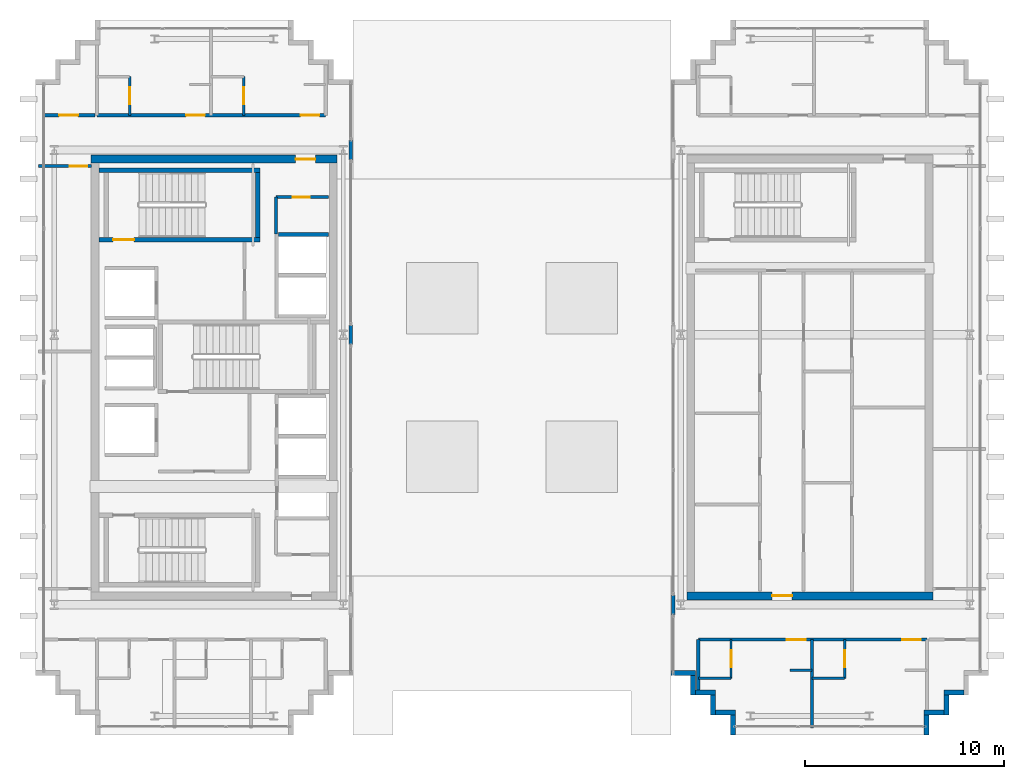
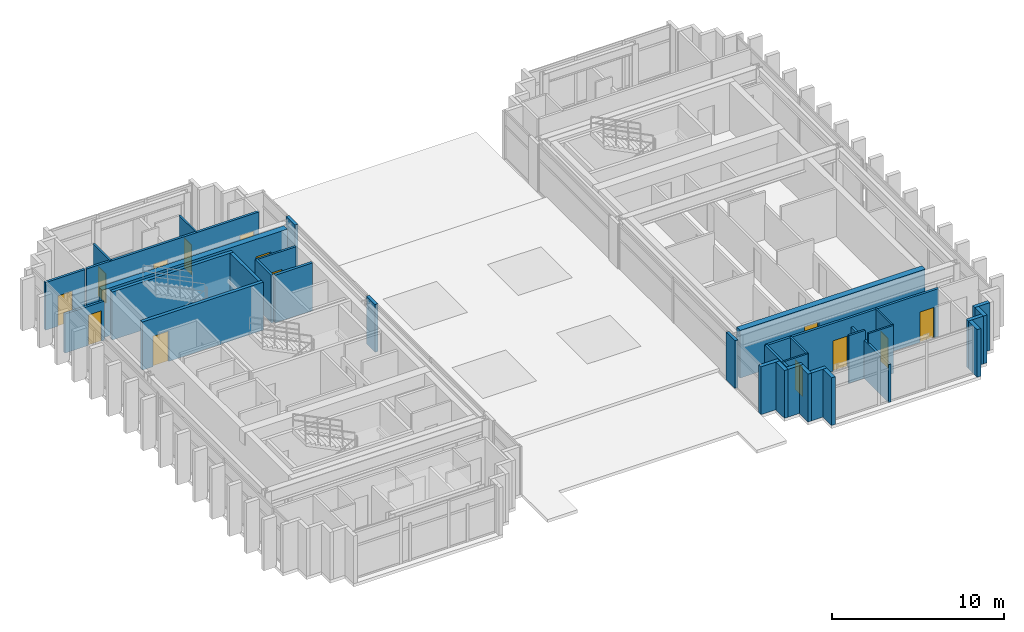
# One storey, part 21 of 25: 34 walls, 14 doors, 14 openings.
"""IFC4 building model written with IfcOpenShell, lengths in metres."""

from ifc_helpers import new_model, si_unit, direction, frame, frame_2d, origin, place, context, subcontext, project, spatial, rectangle, extrude, source, transform, mapped, material, layer, layer_set, type_object, element, fill, save


model = new_model("IFC4")

# Units and contexts
model_context = context("Model", 3, precision=1e-05, world=origin(), true_north=direction((0.0, 1.0)))
body_context = subcontext(model_context, "Body", "Model", "MODEL_VIEW")
ifc_project = project(units=[si_unit("LENGTHUNIT", "METRE"), si_unit("AREAUNIT", "SQUARE_METRE"), si_unit("VOLUMEUNIT", "CUBIC_METRE"), si_unit("PLANEANGLEUNIT", "RADIAN"), si_unit("MASSUNIT", "GRAM", prefix="KILO")], contexts=[model_context])

# Site, building, storey
site_placement = place(None, origin())
site = spatial("IfcSite", under=ifc_project, at=site_placement, CompositionType="ELEMENT")
building_placement = place(site_placement, origin())
building = spatial("IfcBuilding", under=site, at=building_placement, Name="Ocotamira Hotel", CompositionType="ELEMENT")
storey_placement = place(building_placement, frame((0.0, 0.0, 250.800048828125)))
storey = spatial("IfcBuildingStorey", under=building, at=storey_placement, Name="L63", CompositionType="ELEMENT", Elevation=250.800048828125)

# Wall, opening, door
ifc_material_1 = material(Name="Concrete C50/60", Category="concrete")
ifc_layer_1 = layer(ifc_material_1, 0.39990234375)
ifc_layer_set_1 = layer_set([ifc_layer_1], Name="Concrete C50/60")
wall_type_1 = type_object("IfcWallType", Name="WL-CORE-400", PredefinedType="SHEAR", material=ifc_layer_set_1)
wall_1_placement = place(storey_placement, frame((10.800048828125, 37.0, 0.0), z_axis=(0.0, 0.0, 1.0), x_axis=(1.0, 0.0, 0.0)))
wall_1 = element("IfcWall", 1, at=wall_1_placement, inside=storey, type_object=wall_type_1, Name="L63 Shear Core Wall WCORE-N", PredefinedType="SHEAR", context=body_context, shape_type="SweptSolid", body=[
    extrude(rectangle(XDim=12.39990234375, YDim=0.39990234375, at=frame_2d((6.199951171875, 0.0))), origin(), (0.0, 0.0, 1.0), 3.3798828125),
])
opening_1_placement = place(wall_1_placement, frame((10.300048828125, 0.0, 0.0)))
opening_1 = element("IfcOpeningElement", 2, at=opening_1_placement, cuts=wall_1, Name="Opening D-FR2", PredefinedType="OPENING", context=body_context, shape_type="SweptSolid", body=[
    extrude(rectangle(XDim=1.0, YDim=2.14990234375, at=frame_2d((0.5, 1.074951171875))), frame((0.0, 0.2099609375, 0.0), z_axis=(0.0, -1.0, 0.0), x_axis=(1.0, 0.0, 0.0)), (0.0, 0.0, 1.0), 0.419921875),
])
ifc_material_2 = material(Name="Fire-rated acoustic timber-veneer door", Category="wood")
door_type_1 = type_object("IfcDoorType", Name="DR-FIRE-1000", OperationType="NOTDEFINED", PredefinedType="DOOR", material=ifc_material_2)
shared_shape_1 = source(origin(), body_context, "Body", "SweptSolid", [
    extrude(rectangle(XDim=1.0, YDim=2.14990234375, at=frame_2d((0.5, 1.074951171875))), frame((0.0, 0.02490234375, 0.0), z_axis=(0.0, -1.0, 0.0), x_axis=(1.0, 0.0, 0.0)), (0.0, 0.0, 1.0), 0.050048828125),
])
door_1_placement = place(opening_1_placement, origin())
door_1 = element("IfcDoor", 3, at=door_1_placement, inside=storey, type_object=door_type_1, Name="L63 Door ID-L63-WLOB-N-D [ID-L63-WLOB-N-D]", OperationType="SINGLE_SWING_RIGHT", OverallHeight=2.14990234375, OverallWidth=1.0, PredefinedType="DOOR", context=body_context, shape_type="MappedRepresentation", body=[
    mapped(shared_shape_1, transform((0.0, 0.0, 0.0), scale=1.0)),
])
fill(opening_1, door_1)

wall_2_placement = place(storey_placement, frame((40.800048828125, 15.0, 0.0), z_axis=(0.0, 0.0, 1.0), x_axis=(1.0, 0.0, 0.0)))
wall_2 = element("IfcWall", 4, at=wall_2_placement, inside=storey, type_object=wall_type_1, Name="L63 Shear Core Wall ECORE-S", PredefinedType="SHEAR", context=body_context, shape_type="SweptSolid", body=[
    extrude(rectangle(XDim=12.39990234375, YDim=0.39990234375, at=frame_2d((6.199951171875, 0.0))), origin(), (0.0, 0.0, 1.0), 3.3798828125),
])
opening_2_placement = place(wall_2_placement, frame((4.300048828125, 0.0, 0.0)))
opening_2 = element("IfcOpeningElement", 5, at=opening_2_placement, cuts=wall_2, Name="Opening D-FR2", PredefinedType="OPENING", context=body_context, shape_type="SweptSolid", body=[
    extrude(rectangle(XDim=1.0, YDim=2.14990234375, at=frame_2d((0.5, 1.074951171875))), frame((0.0, 0.2099609375, 0.0), z_axis=(0.0, -1.0, 0.0), x_axis=(1.0, 0.0, 0.0)), (0.0, 0.0, 1.0), 0.419921875),
])
door_2_placement = place(opening_2_placement, origin())
door_2 = element("IfcDoor", 6, at=door_2_placement, inside=storey, type_object=door_type_1, Name="L63 Door ID-L63-ELOB-S-D [ID-L63-ELOB-S-D]", OperationType="SINGLE_SWING_RIGHT", OverallHeight=2.14990234375, OverallWidth=1.0, PredefinedType="DOOR", context=body_context, shape_type="MappedRepresentation", body=[
    mapped(shared_shape_1, transform((0.0, 0.0, 0.0), scale=1.0)),
])
fill(opening_2, door_2)

# Walls
ifc_material_3 = material(Name="Precast concrete C45/55", Category="concrete")
ifc_layer_2 = layer(ifc_material_3, 0.25)
ifc_layer_set_2 = layer_set([ifc_layer_2], Name="Precast concrete C45/55")
wall_type_2 = type_object("IfcWallType", Name="WL-EXT-SER-250", PredefinedType="SOLIDWALL", material=ifc_layer_set_2)
for number, where, z_axis, x_axis, name in (
    (7, (52.875, 8.0, 0.0), (0.0, 0.0, 1.0), (0.0, 1.0, 0.0), "L63 -E Serrated Corner Wall 01"),
    (8, (52.75, 9.125, 0.0), (0.0, 0.0, 1.0), (1.0, 0.0, 0.0), "L63 -E Serrated Corner Wall 02"),
    (9, (53.875, 9.0, 0.0), (0.0, 0.0, 1.0), (0.0, 1.0, 0.0), "L63 -E Serrated Corner Wall 03"),
    (10, (53.75, 10.125, 0.0), (0.0, 0.0, 1.0), (1.0, 0.0, 0.0), "L63 -E Serrated Corner Wall 04"),
):
    element("IfcWall", number, at=place(storey_placement, frame(where, z_axis=z_axis, x_axis=x_axis)), inside=storey, type_object=wall_type_2, Name=name, PredefinedType="SOLIDWALL", context=body_context, shape_type="SweptSolid", body=[
        extrude(rectangle(XDim=1.0, YDim=0.25, at=frame_2d((0.5, 0.0))), origin(), (0.0, 0.0, 1.0), 3.3798828125),
    ])
wall_3_placement = place(storey_placement, frame((40.0, 11.125, 0.0), z_axis=(0.0, 0.0, 1.0), x_axis=(1.0, 0.0, 0.0)))
element("IfcWall", 11, at=wall_3_placement, inside=storey, type_object=wall_type_2, Name="L63 -E Serrated Corner Wall 19", PredefinedType="SOLIDWALL", context=body_context, shape_type="SweptSolid", body=[
    extrude(rectangle(XDim=1.25, YDim=0.25, at=frame_2d((0.625, 0.0))), origin(), (0.0, 0.0, 1.0), 3.3798828125),
])
for number, where, z_axis, x_axis, name in (
    (12, (41.125, 11.0, 0.0), (0.0, 0.0, 1.0), (0.0, -1.0, 0.0), "L63 -E Serrated Corner Wall 20"),
    (13, (41.25, 10.125, 0.0), (0.0, 0.0, 1.0), (1.0, 0.0, 0.0), "L63 -E Serrated Corner Wall 21"),
    (14, (42.125, 10.0, 0.0), (0.0, 0.0, 1.0), (0.0, -1.0, 0.0), "L63 -E Serrated Corner Wall 22"),
    (15, (42.25, 9.125, 0.0), (0.0, 0.0, 1.0), (1.0, 0.0, 0.0), "L63 -E Serrated Corner Wall 23"),
    (16, (43.125, 9.0, 0.0), (0.0, 0.0, 1.0), (0.0, -1.0, 0.0), "L63 -E Serrated Corner Wall 24"),
):
    element("IfcWall", number, at=place(storey_placement, frame(where, z_axis=z_axis, x_axis=x_axis)), inside=storey, type_object=wall_type_2, Name=name, PredefinedType="SOLIDWALL", context=body_context, shape_type="SweptSolid", body=[
        extrude(rectangle(XDim=1.0, YDim=0.25, at=frame_2d((0.5, 0.0))), origin(), (0.0, 0.0, 1.0), 3.3798828125),
    ])

# Wall, openings, doors
ifc_material_4 = material(Name="Acoustic double-layer fire gypsum board partition", Category="gypsum")
ifc_layer_3 = layer(ifc_material_4, 0.159912109375)
ifc_layer_set_3 = layer_set([ifc_layer_3], Name="Acoustic double-layer fire gypsum board partition")
wall_type_3 = type_object("IfcWallType", Name="WL-FIRE-160", PredefinedType="PARTITIONING", material=ifc_layer_set_3)
wall_4_placement = place(storey_placement, frame((11.10009765625, 39.199951171875, 0.0), z_axis=(0.0, 0.0, 1.0), x_axis=(1.0, 0.0, 0.0)))
wall_4 = element("IfcWall", 17, at=wall_4_placement, inside=storey, type_object=wall_type_3, Name="L63 Interior Wall PW-L63-SPW0N-CORRW", PredefinedType="PARTITIONING", context=body_context, shape_type="SweptSolid", body=[
    extrude(rectangle(XDim=11.52001953125, YDim=0.159912109375, at=frame_2d((5.760009765625, 0.0))), origin(), (0.0, 0.0, 1.0), 3.3798828125),
])
opening_3_placement = place(wall_4_placement, frame((4.489990234375, 0.0, 0.0)))
opening_3 = element("IfcOpeningElement", 18, at=opening_3_placement, cuts=wall_4, Name="Opening D-GR1", PredefinedType="OPENING", context=body_context, shape_type="SweptSolid", body=[
    extrude(rectangle(XDim=0.93994140625, YDim=2.14990234375, at=frame_2d((0.469970703125, 1.074951171875))), frame((0.0, 0.08984375, 0.0), z_axis=(0.0, -1.0, 0.0), x_axis=(1.0, 0.0, 0.0)), (0.0, 0.0, 1.0), 0.179931640625),
])
opening_4_placement = place(wall_4_placement, frame((10.260009765625, 0.0, 0.0)))
opening_4 = element("IfcOpeningElement", 19, at=opening_4_placement, cuts=wall_4, Name="Opening D-GR1", PredefinedType="OPENING", context=body_context, shape_type="SweptSolid", body=[
    extrude(rectangle(XDim=0.93994140625, YDim=2.14990234375, at=frame_2d((0.469970703125, 1.074951171875))), frame((0.0, 0.08984375, 0.0), z_axis=(0.0, -1.0, 0.0), x_axis=(1.0, 0.0, 0.0)), (0.0, 0.0, 1.0), 0.179931640625),
])
ifc_material_5 = material(Name="Solid-core walnut suite entrance fire door", Category="wood")
door_type_2 = type_object("IfcDoorType", Name="DR-GUEST-940", OperationType="NOTDEFINED", PredefinedType="DOOR", material=ifc_material_5)
shared_shape_2 = source(origin(), body_context, "Body", "SweptSolid", [
    extrude(rectangle(XDim=0.93994140625, YDim=2.14990234375, at=frame_2d((0.469970703125, 1.074951171875))), frame((0.0, 0.02490234375, 0.0), z_axis=(0.0, -1.0, 0.0), x_axis=(1.0, 0.0, 0.0)), (0.0, 0.0, 1.0), 0.050048828125),
])
door_3_placement = place(opening_3_placement, origin())
door_3 = element("IfcDoor", 20, at=door_3_placement, inside=storey, type_object=door_type_2, Name="L63 Door ID-L63-SPW0N-RMD1 [ID-L63-SPW0N-RMD1]", OperationType="SINGLE_SWING_LEFT", OverallHeight=2.14990234375, OverallWidth=0.93994140625, PredefinedType="DOOR", context=body_context, shape_type="MappedRepresentation", body=[
    mapped(shared_shape_2, transform((0.0, 0.0, 0.0), scale=1.0)),
])
fill(opening_3, door_3)
door_4_placement = place(opening_4_placement, origin())
door_4 = element("IfcDoor", 21, at=door_4_placement, inside=storey, type_object=door_type_2, Name="L63 Door ID-L63-SPW0N-RMD2 [ID-L63-SPW0N-RMD2]", OperationType="SINGLE_SWING_RIGHT", OverallHeight=2.14990234375, OverallWidth=0.93994140625, PredefinedType="DOOR", context=body_context, shape_type="MappedRepresentation", body=[
    mapped(shared_shape_2, transform((0.0, 0.0, 0.0), scale=1.0)),
])
fill(opening_4, door_4)

wall_5_placement = place(storey_placement, frame((41.3798828125, 12.800048828125, 0.0), z_axis=(0.0, 0.0, 1.0), x_axis=(1.0, 0.0, 0.0)))
wall_5 = element("IfcWall", 22, at=wall_5_placement, inside=storey, type_object=wall_type_3, Name="L63 Interior Wall PW-L63-SPE0S-CORRW", PredefinedType="PARTITIONING", context=body_context, shape_type="SweptSolid", body=[
    extrude(rectangle(XDim=11.52001953125, YDim=0.159912109375, at=frame_2d((5.760009765625, 0.0))), origin(), (0.0, 0.0, 1.0), 3.3798828125),
])
opening_5_placement = place(wall_5_placement, frame((4.4599609375, 0.0, 0.0)))
opening_5 = element("IfcOpeningElement", 23, at=opening_5_placement, cuts=wall_5, Name="Opening D-GR1", PredefinedType="OPENING", context=body_context, shape_type="SweptSolid", body=[
    extrude(rectangle(XDim=0.93994140625, YDim=2.14990234375, at=frame_2d((0.469970703125, 1.074951171875))), frame((0.0, 0.08984375, 0.0), z_axis=(0.0, -1.0, 0.0), x_axis=(1.0, 0.0, 0.0)), (0.0, 0.0, 1.0), 0.179931640625),
])
opening_6_placement = place(wall_5_placement, frame((10.260009765625, 0.0, 0.0)))
opening_6 = element("IfcOpeningElement", 24, at=opening_6_placement, cuts=wall_5, Name="Opening D-GR1", PredefinedType="OPENING", context=body_context, shape_type="SweptSolid", body=[
    extrude(rectangle(XDim=0.93994140625, YDim=2.14990234375, at=frame_2d((0.469970703125, 1.074951171875))), frame((0.0, 0.08984375, 0.0), z_axis=(0.0, -1.0, 0.0), x_axis=(1.0, 0.0, 0.0)), (0.0, 0.0, 1.0), 0.179931640625),
])
door_5_placement = place(opening_5_placement, origin())
door_5 = element("IfcDoor", 25, at=door_5_placement, inside=storey, type_object=door_type_2, Name="L63 Door ID-L63-SPE0S-RMD1 [ID-L63-SPE0S-RMD1]", OperationType="SINGLE_SWING_LEFT", OverallHeight=2.14990234375, OverallWidth=0.93994140625, PredefinedType="DOOR", context=body_context, shape_type="MappedRepresentation", body=[
    mapped(shared_shape_2, transform((0.0, 0.0, 0.0), scale=1.0)),
])
fill(opening_5, door_5)
door_6_placement = place(opening_6_placement, origin())
door_6 = element("IfcDoor", 26, at=door_6_placement, inside=storey, type_object=door_type_2, Name="L63 Door ID-L63-SPE0S-RMD2 [ID-L63-SPE0S-RMD2]", OperationType="SINGLE_SWING_RIGHT", OverallHeight=2.14990234375, OverallWidth=0.93994140625, PredefinedType="DOOR", context=body_context, shape_type="MappedRepresentation", body=[
    mapped(shared_shape_2, transform((0.0, 0.0, 0.0), scale=1.0)),
])
fill(opening_6, door_6)

# Wall, opening, door
wall_6_placement = place(storey_placement, frame((8.35009765625, 39.199951171875, 0.0), z_axis=(0.0, 0.0, 1.0), x_axis=(1.0, 0.0, 0.0)))
wall_6 = element("IfcWall", 27, at=wall_6_placement, inside=storey, type_object=wall_type_3, Name="L63 Interior Wall PW-L63-SPCNW0-CW", PredefinedType="PARTITIONING", context=body_context, shape_type="SweptSolid", body=[
    extrude(rectangle(XDim=2.64990234375, YDim=0.159912109375, at=frame_2d((1.324951171875, 0.0))), origin(), (0.0, 0.0, 1.0), 3.3798828125),
])
opening_7_placement = place(wall_6_placement, frame((0.844970703125, 0.0, 0.0)))
opening_7 = element("IfcOpeningElement", 28, at=opening_7_placement, cuts=wall_6, Name="Opening D-SV4", PredefinedType="OPENING", context=body_context, shape_type="SweptSolid", body=[
    extrude(rectangle(XDim=0.9599609375, YDim=2.14990234375, at=frame_2d((0.47998046875, 1.074951171875))), frame((0.0, 0.08984375, 0.0), z_axis=(0.0, -1.0, 0.0), x_axis=(1.0, 0.0, 0.0)), (0.0, 0.0, 1.0), 0.179931640625),
])
ifc_material_6 = material(Name="Fire-rated accessible walnut salon door", Category="wood")
door_type_3 = type_object("IfcDoorType", Name="DR-SERV-960", OperationType="NOTDEFINED", PredefinedType="DOOR", material=ifc_material_6)
shared_shape_3 = source(origin(), body_context, "Body", "SweptSolid", [
    extrude(rectangle(XDim=0.9599609375, YDim=2.14990234375, at=frame_2d((0.47998046875, 1.074951171875))), frame((0.0, 0.02490234375, 0.0), z_axis=(0.0, -1.0, 0.0), x_axis=(1.0, 0.0, 0.0)), (0.0, 0.0, 1.0), 0.050048828125),
])
door_7_placement = place(opening_7_placement, origin())
door_7 = element("IfcDoor", 29, at=door_7_placement, inside=storey, type_object=door_type_3, Name="L63 Door ID-L63-SPCNW0-CD [ID-L63-SPCNW0-CD]", OperationType="SINGLE_SWING_LEFT", OverallHeight=2.14990234375, OverallWidth=0.9599609375, PredefinedType="DOOR", context=body_context, shape_type="MappedRepresentation", body=[
    mapped(shared_shape_3, transform((0.0, 0.0, 0.0), scale=1.0)),
])
fill(opening_7, door_7)

# Walls
ifc_layer_4 = layer(ifc_material_3, 0.219970703125)
ifc_layer_set_4 = layer_set([ifc_layer_4], Name="Precast concrete C45/55")
wall_type_4 = type_object("IfcWallType", Name="WL-PARA-220", PredefinedType="PARAPET", material=ifc_layer_set_4)
for number, where, z_axis, x_axis, name in (
    (30, (23.8798828125, 27.64990234375, 0.0), (0.0, 0.0, 1.0), (0.0, 1.0, 0.0), "L63 Split-Wing Column Spandrel Closure W2"),
    (31, (23.8798828125, 36.949951171875, 0.0), (0.0, 0.0, 1.0), (0.0, 1.0, 0.0), "L63 Split-Wing Column Spandrel Closure W3"),
    (32, (40.1201171875, 14.050048828125, 0.0), (0.0, 0.0, 1.0), (0.0, 1.0, 0.0), "L63 Split-Wing Column Spandrel Closure E1"),
):
    element("IfcWall", number, at=place(storey_placement, frame(where, z_axis=z_axis, x_axis=x_axis)), inside=storey, type_object=wall_type_4, Name=name, PredefinedType="PARAPET", context=body_context, shape_type="SweptSolid", body=[
        extrude(rectangle(XDim=1.0, YDim=0.199951171875, at=frame_2d((0.5, 0.0))), origin(), (0.0, 0.0, 1.0), 3.3798828125),
    ])

# Wall, opening, door
ifc_material_7 = material(Name="Moisture-resistant en-suite tile and gypsum partition", Category="gypsum")
ifc_layer_5 = layer(ifc_material_7, 0.1201171875)
ifc_layer_set_5 = layer_set([ifc_layer_5], Name="Moisture-resistant en-suite tile and gypsum partition")
wall_type_5 = type_object("IfcWallType", Name="WL-PART-120", PredefinedType="PARTITIONING", material=ifc_layer_set_5)
wall_7_placement = place(storey_placement, frame((12.75, 39.199951171875, 0.0), z_axis=(0.0, 0.0, 1.0), x_axis=(0.0, 1.0, 0.0)))
wall_7 = element("IfcWall", 33, at=wall_7_placement, inside=storey, type_object=wall_type_5, Name="L63 Interior Wall PW-L63-SPW0N-BAE1", PredefinedType="PARTITIONING", context=body_context, shape_type="SweptSolid", body=[
    extrude(rectangle(XDim=1.949951171875, YDim=0.1201171875, at=frame_2d((0.97509765625, 0.0))), origin(), (0.0, 0.0, 1.0), 3.3798828125),
])
opening_8_placement = place(wall_7_placement, frame((0.544921875, 0.0, 0.0)))
opening_8 = element("IfcOpeningElement", 34, at=opening_8_placement, cuts=wall_7, Name="Opening D-BA1", PredefinedType="OPENING", context=body_context, shape_type="SweptSolid", body=[
    extrude(rectangle(XDim=0.860107421875, YDim=2.10009765625, at=frame_2d((0.43017578125, 1.050048828125))), frame((0.0, 0.070068359375, 0.0), z_axis=(0.0, -1.0, 0.0), x_axis=(1.0, 0.0, 0.0)), (0.0, 0.0, 1.0), 0.14013671875),
])
ifc_material_8 = material(Name="Moisture-sealed en-suite timber door", Category="wood")
door_type_4 = type_object("IfcDoorType", Name="DR-BATH-860", OperationType="NOTDEFINED", PredefinedType="DOOR", material=ifc_material_8)
shared_shape_4 = source(origin(), body_context, "Body", "SweptSolid", [
    extrude(rectangle(XDim=0.860107421875, YDim=2.10009765625, at=frame_2d((0.43017578125, 1.050048828125))), frame((0.0, 0.02490234375, 0.0), z_axis=(0.0, -1.0, 0.0), x_axis=(1.0, 0.0, 0.0)), (0.0, 0.0, 1.0), 0.050048828125),
])
door_8_placement = place(opening_8_placement, origin())
door_8 = element("IfcDoor", 35, at=door_8_placement, inside=storey, type_object=door_type_4, Name="L63 Door ID-L63-SPW0N-BAD1 [ID-L63-SPW0N-BAD1]", OperationType="SINGLE_SWING_RIGHT", OverallHeight=2.10009765625, OverallWidth=0.860107421875, PredefinedType="DOOR", context=body_context, shape_type="MappedRepresentation", body=[
    mapped(shared_shape_4, transform((0.0, 0.0, 0.0), scale=1.0)),
])
fill(opening_8, door_8)

wall_8_placement = place(storey_placement, frame((18.5, 39.199951171875, 0.0), z_axis=(0.0, 0.0, 1.0), x_axis=(0.0, 1.0, 0.0)))
wall_8 = element("IfcWall", 36, at=wall_8_placement, inside=storey, type_object=wall_type_5, Name="L63 Interior Wall PW-L63-SPW0N-BAE2", PredefinedType="PARTITIONING", context=body_context, shape_type="SweptSolid", body=[
    extrude(rectangle(XDim=1.949951171875, YDim=0.1201171875, at=frame_2d((0.97509765625, 0.0))), origin(), (0.0, 0.0, 1.0), 3.3798828125),
])
opening_9_placement = place(wall_8_placement, frame((0.544921875, 0.0, 0.0)))
opening_9 = element("IfcOpeningElement", 37, at=opening_9_placement, cuts=wall_8, Name="Opening D-BA1", PredefinedType="OPENING", context=body_context, shape_type="SweptSolid", body=[
    extrude(rectangle(XDim=0.860107421875, YDim=2.10009765625, at=frame_2d((0.43017578125, 1.050048828125))), frame((0.0, 0.070068359375, 0.0), z_axis=(0.0, -1.0, 0.0), x_axis=(1.0, 0.0, 0.0)), (0.0, 0.0, 1.0), 0.14013671875),
])
door_9_placement = place(opening_9_placement, origin())
door_9 = element("IfcDoor", 38, at=door_9_placement, inside=storey, type_object=door_type_4, Name="L63 Door ID-L63-SPW0N-BAD2 [ID-L63-SPW0N-BAD2]", OperationType="SINGLE_SWING_LEFT", OverallHeight=2.10009765625, OverallWidth=0.860107421875, PredefinedType="DOOR", context=body_context, shape_type="MappedRepresentation", body=[
    mapped(shared_shape_4, transform((0.0, 0.0, 0.0), scale=1.0)),
])
fill(opening_9, door_9)

wall_9_placement = place(storey_placement, frame((43.030029296875, 10.85009765625, 0.0), z_axis=(0.0, 0.0, 1.0), x_axis=(0.0, 1.0, 0.0)))
wall_9 = element("IfcWall", 39, at=wall_9_placement, inside=storey, type_object=wall_type_5, Name="L63 Interior Wall PW-L63-SPE0S-BAE1", PredefinedType="PARTITIONING", context=body_context, shape_type="SweptSolid", body=[
    extrude(rectangle(XDim=1.949951171875, YDim=0.1201171875, at=frame_2d((0.97509765625, 0.0))), origin(), (0.0, 0.0, 1.0), 3.3798828125),
])
opening_10_placement = place(wall_9_placement, frame((0.544921875, 0.0, 0.0)))
opening_10 = element("IfcOpeningElement", 40, at=opening_10_placement, cuts=wall_9, Name="Opening D-BA1", PredefinedType="OPENING", context=body_context, shape_type="SweptSolid", body=[
    extrude(rectangle(XDim=0.860107421875, YDim=2.10009765625, at=frame_2d((0.43017578125, 1.050048828125))), frame((0.0, 0.070068359375, 0.0), z_axis=(0.0, -1.0, 0.0), x_axis=(1.0, 0.0, 0.0)), (0.0, 0.0, 1.0), 0.14013671875),
])
door_10_placement = place(opening_10_placement, origin())
door_10 = element("IfcDoor", 41, at=door_10_placement, inside=storey, type_object=door_type_4, Name="L63 Door ID-L63-SPE0S-BAD1 [ID-L63-SPE0S-BAD1]", OperationType="SINGLE_SWING_RIGHT", OverallHeight=2.10009765625, OverallWidth=0.860107421875, PredefinedType="DOOR", context=body_context, shape_type="MappedRepresentation", body=[
    mapped(shared_shape_4, transform((0.0, 0.0, 0.0), scale=1.0)),
])
fill(opening_10, door_10)

# Walls
wall_10_placement = place(storey_placement, frame((41.3798828125, 10.85009765625, 0.0), z_axis=(0.0, 0.0, 1.0), x_axis=(1.0, 0.0, 0.0)))
element("IfcWall", 42, at=wall_10_placement, inside=storey, type_object=wall_type_5, Name="L63 Interior Wall PW-L63-SPE0S-BAS1", PredefinedType="PARTITIONING", context=body_context, shape_type="SweptSolid", body=[
    extrude(rectangle(XDim=1.650146484375, YDim=0.1201171875, at=frame_2d((0.8251953125, 0.0))), origin(), (0.0, 0.0, 1.0), 3.3798828125),
])
wall_11_placement = place(storey_placement, frame((46.0, 11.25, 0.0), z_axis=(0.0, 0.0, 1.0), x_axis=(1.0, 0.0, 0.0)))
element("IfcWall", 43, at=wall_11_placement, inside=storey, type_object=wall_type_5, Name="L63 Interior Wall PW-L63-SPE0S-DRN1", PredefinedType="PARTITIONING", context=body_context, shape_type="SweptSolid", body=[
    extrude(rectangle(XDim=1.10009765625, YDim=0.1201171875, at=frame_2d((0.550048828125, 0.0))), origin(), (0.0, 0.0, 1.0), 3.3798828125),
])

# Wall, opening, door
wall_12_placement = place(storey_placement, frame((48.75, 10.85009765625, 0.0), z_axis=(0.0, 0.0, 1.0), x_axis=(0.0, 1.0, 0.0)))
wall_12 = element("IfcWall", 44, at=wall_12_placement, inside=storey, type_object=wall_type_5, Name="L63 Interior Wall PW-L63-SPE0S-BAE2", PredefinedType="PARTITIONING", context=body_context, shape_type="SweptSolid", body=[
    extrude(rectangle(XDim=1.949951171875, YDim=0.1201171875, at=frame_2d((0.97509765625, 0.0))), origin(), (0.0, 0.0, 1.0), 3.3798828125),
])
opening_11_placement = place(wall_12_placement, frame((0.544921875, 0.0, 0.0)))
opening_11 = element("IfcOpeningElement", 45, at=opening_11_placement, cuts=wall_12, Name="Opening D-BA1", PredefinedType="OPENING", context=body_context, shape_type="SweptSolid", body=[
    extrude(rectangle(XDim=0.860107421875, YDim=2.10009765625, at=frame_2d((0.43017578125, 1.050048828125))), frame((0.0, 0.070068359375, 0.0), z_axis=(0.0, -1.0, 0.0), x_axis=(1.0, 0.0, 0.0)), (0.0, 0.0, 1.0), 0.14013671875),
])
door_11_placement = place(opening_11_placement, origin())
door_11 = element("IfcDoor", 46, at=door_11_placement, inside=storey, type_object=door_type_4, Name="L63 Door ID-L63-SPE0S-BAD2 [ID-L63-SPE0S-BAD2]", OperationType="SINGLE_SWING_LEFT", OverallHeight=2.10009765625, OverallWidth=0.860107421875, PredefinedType="DOOR", context=body_context, shape_type="MappedRepresentation", body=[
    mapped(shared_shape_4, transform((0.0, 0.0, 0.0), scale=1.0)),
])
fill(opening_11, door_11)

# Walls
wall_13_placement = place(storey_placement, frame((47.10009765625, 10.85009765625, 0.0), z_axis=(0.0, 0.0, 1.0), x_axis=(1.0, 0.0, 0.0)))
element("IfcWall", 47, at=wall_13_placement, inside=storey, type_object=wall_type_5, Name="L63 Interior Wall PW-L63-SPE0S-BAS2", PredefinedType="PARTITIONING", context=body_context, shape_type="SweptSolid", body=[
    extrude(rectangle(XDim=1.64990234375, YDim=0.1201171875, at=frame_2d((0.824951171875, 0.0))), origin(), (0.0, 0.0, 1.0), 3.3798828125),
])
ifc_material_9 = material(Name="Acoustic hospitality gypsum board partition", Category="gypsum")
ifc_layer_6 = layer(ifc_material_9, 0.14208984375)
ifc_layer_set_6 = layer_set([ifc_layer_6], Name="Acoustic hospitality gypsum board partition")
wall_type_6 = type_object("IfcWallType", Name="WL-PART-142", PredefinedType="PARTITIONING", material=ifc_layer_set_6)
wall_14_placement = place(storey_placement, frame((20.1201171875, 33.219970703125, 0.0), z_axis=(0.0, 0.0, 1.0), x_axis=(0.0, 1.0, 0.0)))
element("IfcWall", 48, at=wall_14_placement, inside=storey, type_object=wall_type_6, Name="L63 Interior Wall PW-L63-WC-NE-W2", PredefinedType="PARTITIONING", context=body_context, shape_type="SweptSolid", body=[
    extrude(rectangle(XDim=1.860107421875, YDim=0.14208984375, at=frame_2d((0.93017578125, 0.0))), origin(), (0.0, 0.0, 1.0), 3.3798828125),
])

# Wall, opening, door
wall_15_placement = place(storey_placement, frame((20.1201171875, 35.080078125, 0.0), z_axis=(0.0, 0.0, 1.0), x_axis=(1.0, 0.0, 0.0)))
wall_15 = element("IfcWall", 49, at=wall_15_placement, inside=storey, type_object=wall_type_6, Name="L63 Interior Wall PW-L63-WC-NE-N2", PredefinedType="PARTITIONING", context=body_context, shape_type="SweptSolid", body=[
    extrude(rectangle(XDim=2.6298828125, YDim=0.14208984375, at=frame_2d((1.31494140625, 0.0))), origin(), (0.0, 0.0, 1.0), 3.3798828125),
])
opening_12_placement = place(wall_15_placement, frame((0.85009765625, 0.0, 0.0)))
opening_12 = element("IfcOpeningElement", 50, at=opening_12_placement, cuts=wall_15, Name="Opening D-SV1", PredefinedType="OPENING", context=body_context, shape_type="SweptSolid", body=[
    extrude(rectangle(XDim=0.840087890625, YDim=2.10009765625, at=frame_2d((0.419921875, 1.050048828125))), frame((0.0, 0.0810546875, 0.0), z_axis=(0.0, -1.0, 0.0), x_axis=(1.0, 0.0, 0.0)), (0.0, 0.0, 1.0), 0.162109375),
])
ifc_material_10 = material(Name="Fire-rated painted steel service door", Category="steel")
door_type_5 = type_object("IfcDoorType", Name="DR-SERV-840", OperationType="NOTDEFINED", PredefinedType="DOOR", material=ifc_material_10)
shared_shape_5 = source(origin(), body_context, "Body", "SweptSolid", [
    extrude(rectangle(XDim=0.840087890625, YDim=2.10009765625, at=frame_2d((0.419921875, 1.050048828125))), frame((0.0, 0.02490234375, 0.0), z_axis=(0.0, -1.0, 0.0), x_axis=(1.0, 0.0, 0.0)), (0.0, 0.0, 1.0), 0.050048828125),
])
door_12_placement = place(opening_12_placement, origin())
door_12 = element("IfcDoor", 51, at=door_12_placement, inside=storey, type_object=door_type_5, Name="L63 Door ID-L63-WC-NE-D2 [ID-L63-WC-NE-D2]", OperationType="SINGLE_SWING_RIGHT", OverallHeight=2.10009765625, OverallWidth=0.840087890625, PredefinedType="DOOR", context=body_context, shape_type="MappedRepresentation", body=[
    mapped(shared_shape_5, transform((0.0, 0.0, 0.0), scale=1.0)),
])
fill(opening_12, door_12)

ifc_layer_7 = layer(ifc_material_9, 0.14990234375)
ifc_layer_set_7 = layer_set([ifc_layer_7], Name="Acoustic hospitality gypsum board partition")
wall_type_7 = type_object("IfcWallType", Name="WL-PART-150", PredefinedType="PARTITIONING", material=ifc_layer_set_7)
wall_16_placement = place(storey_placement, frame((8.159912109375, 36.639892578125, 0.0), z_axis=(0.0, 0.0, 1.0), x_axis=(1.0, 0.0, 0.0)))
wall_16 = element("IfcWall", 52, at=wall_16_placement, inside=storey, type_object=wall_type_7, Name="L63 Interior Wall PW-L63-SP0W-WN", PredefinedType="PARTITIONING", context=body_context, shape_type="SweptSolid", body=[
    extrude(rectangle(XDim=2.66015625, YDim=0.14990234375, at=frame_2d((1.330078125, 0.0))), origin(), (0.0, 0.0, 1.0), 2.762939453125),
])
opening_13_placement = place(wall_16_placement, frame((1.580078125, 0.0, 0.0)))
opening_13 = element("IfcOpeningElement", 53, at=opening_13_placement, cuts=wall_16, Name="Opening D-SV2", PredefinedType="OPENING", context=body_context, shape_type="SweptSolid", body=[
    extrude(rectangle(XDim=0.8798828125, YDim=2.14990234375, at=frame_2d((0.43994140625, 1.074951171875))), frame((0.0, 0.0849609375, 0.0), z_axis=(0.0, -1.0, 0.0), x_axis=(1.0, 0.0, 0.0)), (0.0, 0.0, 1.0), 0.169921875),
])
door_type_6 = type_object("IfcDoorType", Name="DR-SERV-880", OperationType="NOTDEFINED", PredefinedType="DOOR", material=ifc_material_10)
shared_shape_6 = source(origin(), body_context, "Body", "SweptSolid", [
    extrude(rectangle(XDim=0.8798828125, YDim=2.14990234375, at=frame_2d((0.43994140625, 1.074951171875))), frame((0.0, 0.02490234375, 0.0), z_axis=(0.0, -1.0, 0.0), x_axis=(1.0, 0.0, 0.0)), (0.0, 0.0, 1.0), 0.050048828125),
])
door_13_placement = place(opening_13_placement, origin())
door_13 = element("IfcDoor", 54, at=door_13_placement, inside=storey, type_object=door_type_6, Name="L63 Door ID-L63-SP0W-DN [ID-L63-SP0W-DN]", OperationType="SINGLE_SWING_RIGHT", OverallHeight=2.14990234375, OverallWidth=0.8798828125, PredefinedType="DOOR", context=body_context, shape_type="MappedRepresentation", body=[
    mapped(shared_shape_6, transform((0.0, 0.0, 0.0), scale=1.0)),
])
fill(opening_13, door_13)

# Walls
ifc_material_11 = material(Name="Acoustic double-stud hospitality gypsum partition", Category="gypsum")
ifc_layer_8 = layer(ifc_material_11, 0.159912109375)
ifc_layer_set_8 = layer_set([ifc_layer_8], Name="Acoustic double-stud hospitality gypsum partition")
wall_type_8 = type_object("IfcWallType", Name="WL-PART-160", PredefinedType="PARTITIONING", material=ifc_layer_set_8)
wall_17_placement = place(storey_placement, frame((41.3798828125, 10.260009765625, 0.0), z_axis=(0.0, 0.0, 1.0), x_axis=(0.0, 1.0, 0.0)))
element("IfcWall", 55, at=wall_17_placement, inside=storey, type_object=wall_type_8, Name="L63 Interior Wall PW-L63-SPE0S-PW0", PredefinedType="PARTITIONING", context=body_context, shape_type="SweptSolid", body=[
    extrude(rectangle(XDim=2.5400390625, YDim=0.159912109375, at=frame_2d((1.27001953125, 0.0))), origin(), (0.0, 0.0, 1.0), 3.3798828125),
])
wall_18_placement = place(storey_placement, frame((47.10009765625, 8.360107421875, 0.0), z_axis=(0.0, 0.0, 1.0), x_axis=(0.0, 1.0, 0.0)))
element("IfcWall", 56, at=wall_18_placement, inside=storey, type_object=wall_type_8, Name="L63 Interior Wall PW-L63-SPE0S-PW1", PredefinedType="PARTITIONING", context=body_context, shape_type="SweptSolid", body=[
    extrude(rectangle(XDim=4.43994140625, YDim=0.159912109375, at=frame_2d((2.219970703125, 0.0))), origin(), (0.0, 0.0, 1.0), 2.68701171875),
])
ifc_material_12 = material(Name="Fire-rated gypsum shaftliner board assembly", Category="gypsum")
ifc_layer_9 = layer(ifc_material_12, 0.179931640625)
ifc_layer_set_9 = layer_set([ifc_layer_9], Name="Fire-rated gypsum shaftliner board assembly")
wall_type_9 = type_object("IfcWallType", Name="WL-SHAFT-180", PredefinedType="SOLIDWALL", material=ifc_layer_set_9)
wall_19_placement = place(storey_placement, frame((20.25, 33.199951171875, 0.0), z_axis=(0.0, 0.0, 1.0), x_axis=(1.0, 0.0, 0.0)))
element("IfcWall", 57, at=wall_19_placement, inside=storey, type_object=wall_type_9, Name="L63 Interior Wall PW-L63-LFW-BANK-obs-N", PredefinedType="SOLIDWALL", context=body_context, shape_type="SweptSolid", body=[
    extrude(rectangle(XDim=2.5, YDim=0.179931640625, at=frame_2d((1.25, 0.0))), origin(), (0.0, 0.0, 1.0), 3.3798828125),
])

# Wall, opening, door
ifc_layer_10 = layer(ifc_material_1, 0.219970703125)
ifc_layer_set_10 = layer_set([ifc_layer_10], Name="Concrete C50/60")
wall_type_10 = type_object("IfcWallType", Name="WL-STAIR-220", PredefinedType="SHEAR", material=ifc_layer_set_10)
wall_20_placement = place(storey_placement, frame((11.199951171875, 32.93994140625, 0.0), z_axis=(0.0, 0.0, 1.0), x_axis=(1.0, 0.0, 0.0)))
wall_20 = element("IfcWall", 58, at=wall_20_placement, inside=storey, type_object=wall_type_10, Name="L63 Stair Shaft Structural Wall ST-2-S", PredefinedType="SHEAR", context=body_context, shape_type="SweptSolid", body=[
    extrude(rectangle(XDim=8.110107421875, YDim=0.219970703125, at=frame_2d((4.05517578125, 0.0))), origin(), (0.0, 0.0, 1.0), 3.39990234375),
])
opening_14_placement = place(wall_20_placement, frame((0.719970703125, 0.0, 0.0)))
opening_14 = element("IfcOpeningElement", 59, at=opening_14_placement, cuts=wall_20, Name="Opening D-ST2", PredefinedType="OPENING", context=body_context, shape_type="SweptSolid", body=[
    extrude(rectangle(XDim=1.050048828125, YDim=2.14990234375, at=frame_2d((0.52490234375, 1.074951171875))), frame((0.0, 0.1201171875, 0.0), z_axis=(0.0, -1.0, 0.0), x_axis=(1.0, 0.0, 0.0)), (0.0, 0.0, 1.0), 0.239990234375),
])
ifc_material_13 = material(Name="Insulated painted hollow-metal fire exit door", Category="steel")
door_type_7 = type_object("IfcDoorType", Name="DR-STAIR-1050", OperationType="NOTDEFINED", PredefinedType="DOOR", material=ifc_material_13)
shared_shape_7 = source(origin(), body_context, "Body", "SweptSolid", [
    extrude(rectangle(XDim=1.050048828125, YDim=2.14990234375, at=frame_2d((0.52490234375, 1.074951171875))), frame((0.0, 0.02490234375, 0.0), z_axis=(0.0, -1.0, 0.0), x_axis=(1.0, 0.0, 0.0)), (0.0, 0.0, 1.0), 0.050048828125),
])
door_14_placement = place(opening_14_placement, origin())
door_14 = element("IfcDoor", 60, at=door_14_placement, inside=storey, type_object=door_type_7, Name="L63 Door ID-L63-STD-ST-2 [ID-L63-STD-ST-2]", OperationType="SINGLE_SWING_LEFT", OverallHeight=2.14990234375, OverallWidth=1.050048828125, PredefinedType="DOOR", context=body_context, shape_type="MappedRepresentation", body=[
    mapped(shared_shape_7, transform((0.0, 0.0, 0.0), scale=1.0)),
])
fill(opening_14, door_14)

# Walls
wall_21_placement = place(storey_placement, frame((11.199951171875, 36.43994140625, 0.0), z_axis=(0.0, 0.0, 1.0), x_axis=(1.0, 0.0, 0.0)))
element("IfcWall", 61, at=wall_21_placement, inside=storey, type_object=wall_type_10, Name="L63 Stair Shaft Structural Wall ST-2-N", PredefinedType="SHEAR", context=body_context, shape_type="SweptSolid", body=[
    extrude(rectangle(XDim=8.110107421875, YDim=0.219970703125, at=frame_2d((4.05517578125, 0.0))), origin(), (0.0, 0.0, 1.0), 3.39990234375),
])
wall_22_placement = place(storey_placement, frame((19.199951171875, 33.050048828125, 0.0), z_axis=(0.0, 0.0, 1.0), x_axis=(0.0, 1.0, 0.0)))
element("IfcWall", 62, at=wall_22_placement, inside=storey, type_object=wall_type_10, Name="L63 Stair Shaft Structural Wall ST-2-E", PredefinedType="SHEAR", context=body_context, shape_type="SweptSolid", body=[
    extrude(rectangle(XDim=3.280029296875, YDim=0.219970703125, at=frame_2d((1.64013671875, 0.0))), origin(), (0.0, 0.0, 1.0), 3.39990234375),
])

save(model, "model.ifc")
